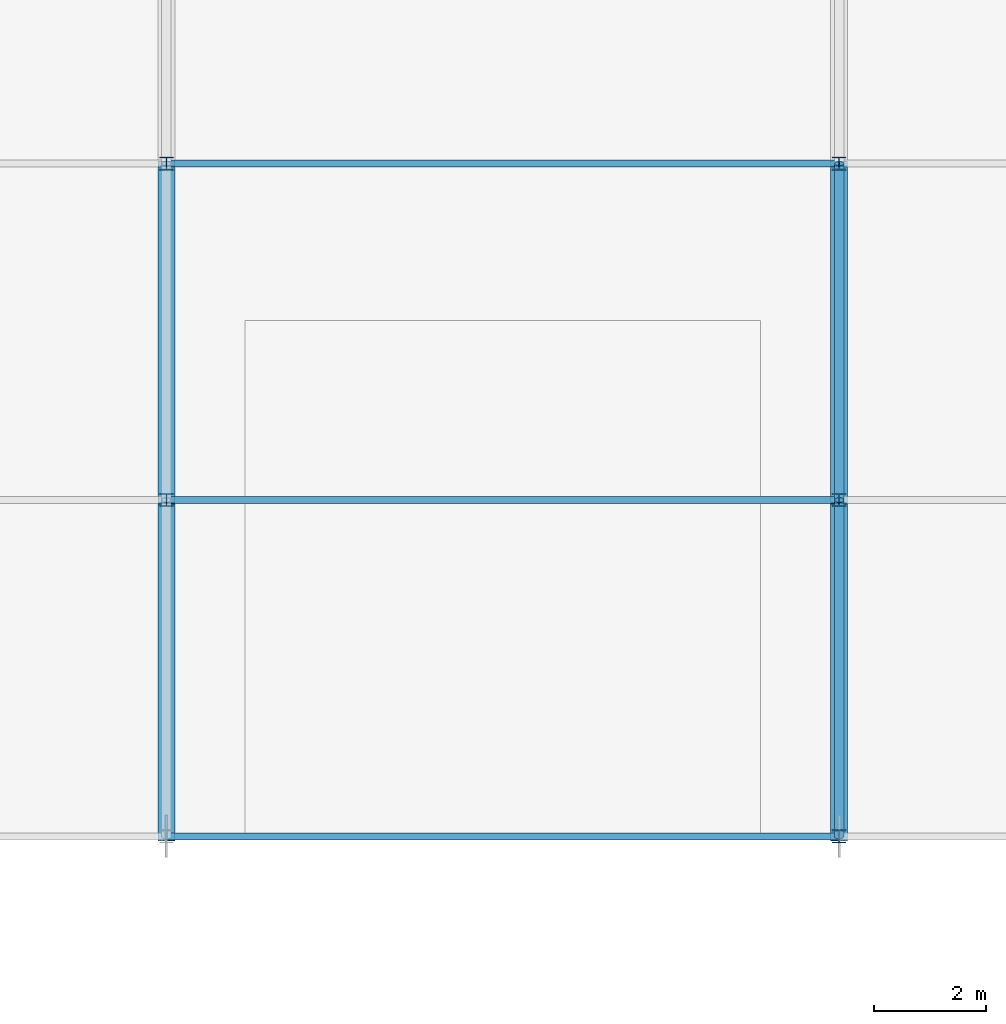
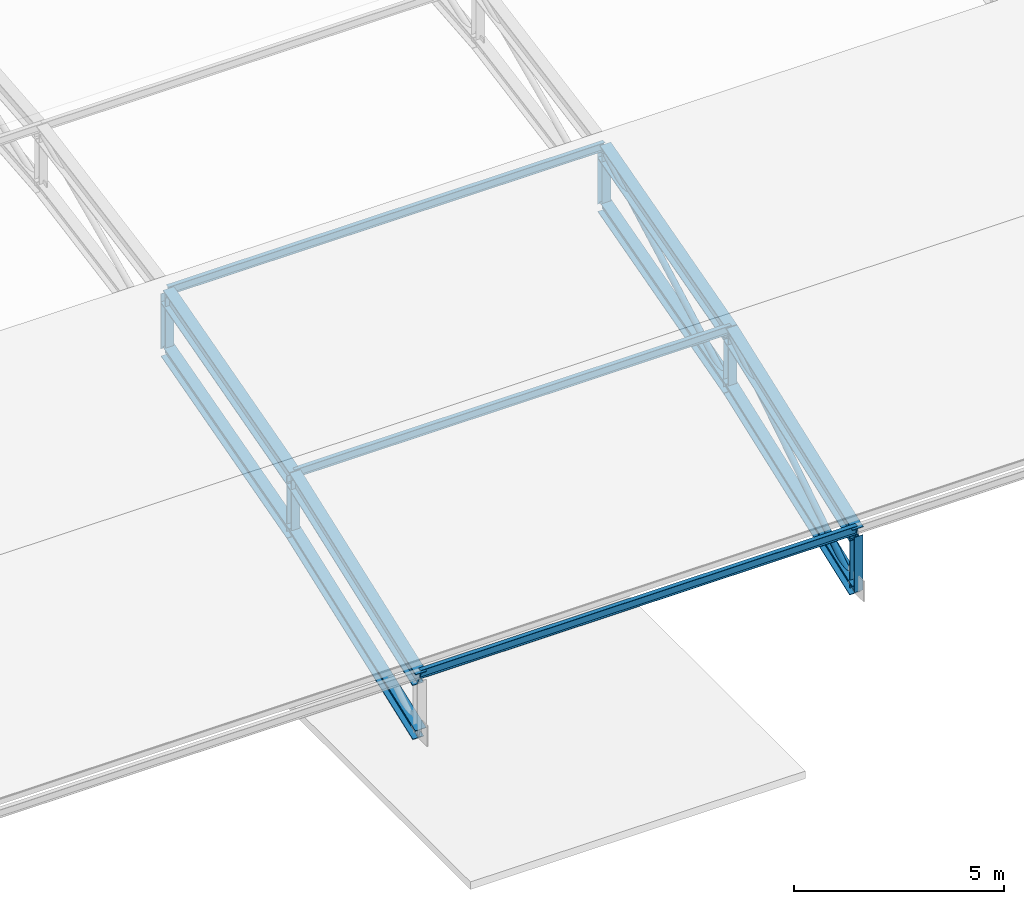
# One storey, part 91 of 204: 18 members.
"""IFC4 building model written with IfcOpenShell, lengths in metres."""

from ifc_helpers import new_model, si_unit, direction, frame, origin, origin_2d, place, context, subcontext, project, spatial, hollow_circle, i_section, extrude, material, material_profile, profile_set, type_object, element, save


model = new_model("IFC4")

# Units and contexts
model_context = context("Model", 3, precision=1e-05, world=origin(), true_north=direction((0.0, 1.0)))
body_context = subcontext(model_context, "Body", "Model", "MODEL_VIEW")
ifc_project = project(units=[si_unit("LENGTHUNIT", "METRE"), si_unit("AREAUNIT", "SQUARE_METRE"), si_unit("VOLUMEUNIT", "CUBIC_METRE"), si_unit("PLANEANGLEUNIT", "RADIAN"), si_unit("MASSUNIT", "GRAM", prefix="KILO")], contexts=[model_context])

# Site, building, storey
site_placement = place(None, origin())
site = spatial("IfcSite", under=ifc_project, at=site_placement, CompositionType="ELEMENT")
building_placement = place(site_placement, origin())
building = spatial("IfcBuilding", under=site, at=building_placement, Name="Zilviju Railside Exhibition Hall", CompositionType="ELEMENT")
storey_placement = place(building_placement, frame((0.0, 0.0, 21.0)))
storey = spatial("IfcBuildingStorey", under=building, at=storey_placement, Name="RF", CompositionType="ELEMENT", Elevation=21.0)

# Members
ifc_material = material(Name="Steel S355J2", Category="steel")
ifc_material_profile_1 = material_profile(ifc_material, hollow_circle(Radius=0.084228515625, WallThickness=0.008056640625, at=origin_2d()), Name="CHS 168.3x8.0")
ifc_profile_set_1 = profile_set([ifc_material_profile_1], Name="Steel S355J2")
member_type_1 = type_object("IfcMemberType", Name="TR-BR-CHS168", PredefinedType="BRACE", material=ifc_profile_set_1)
member_1_placement = place(storey_placement, frame((156.0, 0.0, -7.800048828125), z_axis=(0.0, 0.844023315733, 0.536306481872), x_axis=(-1.0, 0.0, 0.0)))
element("IfcMember", 1, at=member_1_placement, inside=storey, type_object=member_type_1, Name="V1 Parabolic Arch Web Diagonal X=156.0 P1", PredefinedType="BRACE", context=body_context, shape_type="SweptSolid", body=[
    extrude(hollow_circle(Radius=0.084228515625, WallThickness=0.008056640625, at=origin_2d()), origin(), (0.0, 0.0, 1.0), 7.10888671875),
])
member_2_placement = place(storey_placement, frame((156.0, 6.0, -5.587646484375), z_axis=(0.0, 0.87872232578, 0.477333294644), x_axis=(-1.0, 0.0, 0.0)))
element("IfcMember", 2, at=member_2_placement, inside=storey, type_object=member_type_1, Name="V1 Parabolic Arch Web Diagonal X=156.0 P2", PredefinedType="BRACE", context=body_context, shape_type="SweptSolid", body=[
    extrude(hollow_circle(Radius=0.084228515625, WallThickness=0.008056640625, at=origin_2d()), origin(), (0.0, 0.0, 1.0), 6.828125),
])
ifc_material_profile_2 = material_profile(ifc_material, i_section(OverallWidth=0.300048828125, OverallDepth=0.360107421875, WebThickness=0.012451171875, FlangeThickness=0.0224609375, at=origin_2d()), Name="HEB 360")
ifc_profile_set_2 = profile_set([ifc_material_profile_2], Name="Steel S355J2")
member_type_2 = type_object("IfcMemberType", Name="TR-CH-HEB360", PredefinedType="CHORD", material=ifc_profile_set_2)
member_3_placement = place(storey_placement, frame((144.0, 0.0, -7.800048828125), z_axis=(0.0, 0.938247917098, 0.345963648468), x_axis=(-1.0, 0.0, 0.0)))
element("IfcMember", 3, at=member_3_placement, inside=storey, type_object=member_type_2, Name="V1 Parabolic Arch Bottom Chord X=144.0 P1", PredefinedType="CHORD", context=body_context, shape_type="SweptSolid", body=[
    extrude(i_section(OverallWidth=0.300048828125, OverallDepth=0.360107421875, WebThickness=0.012451171875, FlangeThickness=0.0224609375, at=origin_2d()), origin(), (0.0, 0.0, 1.0), 6.39501953125),
])
member_4_placement = place(storey_placement, frame((144.0, 6.0, -5.587646484375), z_axis=(0.0, 0.963827412659, 0.266527144223), x_axis=(-1.0, 0.0, 0.0)))
element("IfcMember", 4, at=member_4_placement, inside=storey, type_object=member_type_2, Name="V1 Parabolic Arch Bottom Chord X=144.0 P2", PredefinedType="CHORD", context=body_context, shape_type="SweptSolid", body=[
    extrude(i_section(OverallWidth=0.300048828125, OverallDepth=0.360107421875, WebThickness=0.012451171875, FlangeThickness=0.0224609375, at=origin_2d()), origin(), (0.0, 0.0, 1.0), 6.22509765625),
])
member_5_placement = place(storey_placement, frame((156.0, 0.0, -7.800048828125), z_axis=(0.0, 0.938247917098, 0.345963648468), x_axis=(-1.0, 0.0, 0.0)))
element("IfcMember", 5, at=member_5_placement, inside=storey, type_object=member_type_2, Name="V1 Parabolic Arch Bottom Chord X=156.0 P1", PredefinedType="CHORD", context=body_context, shape_type="SweptSolid", body=[
    extrude(i_section(OverallWidth=0.300048828125, OverallDepth=0.360107421875, WebThickness=0.012451171875, FlangeThickness=0.0224609375, at=origin_2d()), origin(), (0.0, 0.0, 1.0), 6.39501953125),
])
member_6_placement = place(storey_placement, frame((156.0, 6.0, -5.587646484375), z_axis=(0.0, 0.963827412659, 0.266527144223), x_axis=(-1.0, 0.0, 0.0)))
element("IfcMember", 6, at=member_6_placement, inside=storey, type_object=member_type_2, Name="V1 Parabolic Arch Bottom Chord X=156.0 P2", PredefinedType="CHORD", context=body_context, shape_type="SweptSolid", body=[
    extrude(i_section(OverallWidth=0.300048828125, OverallDepth=0.360107421875, WebThickness=0.012451171875, FlangeThickness=0.0224609375, at=origin_2d()), origin(), (0.0, 0.0, 1.0), 6.22509765625),
])
ifc_material_profile_3 = material_profile(ifc_material, i_section(OverallWidth=0.300048828125, OverallDepth=0.449951171875, WebThickness=0.013916015625, FlangeThickness=0.02587890625, at=origin_2d()), Name="HEB 450")
ifc_profile_set_3 = profile_set([ifc_material_profile_3], Name="Steel S355J2")
member_type_3 = type_object("IfcMemberType", Name="TR-CH-HEB450", PredefinedType="CHORD", material=ifc_profile_set_3)
member_7_placement = place(storey_placement, frame((144.0, 0.0, -6.199951171875), z_axis=(0.0, 0.938247917098, 0.345963648468), x_axis=(-1.0, 0.0, 0.0)))
element("IfcMember", 7, at=member_7_placement, inside=storey, type_object=member_type_3, Name="V1 Parabolic Arch Top Chord X=144.0 P1", PredefinedType="CHORD", context=body_context, shape_type="SweptSolid", body=[
    extrude(i_section(OverallWidth=0.300048828125, OverallDepth=0.449951171875, WebThickness=0.013916015625, FlangeThickness=0.02587890625, at=origin_2d()), origin(), (0.0, 0.0, 1.0), 6.39501953125),
])
member_8_placement = place(storey_placement, frame((144.0, 6.0, -3.987548828125), z_axis=(0.0, 0.963827412659, 0.266527144223), x_axis=(-1.0, 0.0, 0.0)))
element("IfcMember", 8, at=member_8_placement, inside=storey, type_object=member_type_3, Name="V1 Parabolic Arch Top Chord X=144.0 P2", PredefinedType="CHORD", context=body_context, shape_type="SweptSolid", body=[
    extrude(i_section(OverallWidth=0.300048828125, OverallDepth=0.449951171875, WebThickness=0.013916015625, FlangeThickness=0.02587890625, at=origin_2d()), origin(), (0.0, 0.0, 1.0), 6.22509765625),
])
member_9_placement = place(storey_placement, frame((156.0, 0.0, -6.199951171875), z_axis=(0.0, 0.938247917098, 0.345963648468), x_axis=(-1.0, 0.0, 0.0)))
element("IfcMember", 9, at=member_9_placement, inside=storey, type_object=member_type_3, Name="V1 Parabolic Arch Top Chord X=156.0 P1", PredefinedType="CHORD", context=body_context, shape_type="SweptSolid", body=[
    extrude(i_section(OverallWidth=0.300048828125, OverallDepth=0.449951171875, WebThickness=0.013916015625, FlangeThickness=0.02587890625, at=origin_2d()), origin(), (0.0, 0.0, 1.0), 6.39501953125),
])
member_10_placement = place(storey_placement, frame((156.0, 6.0, -3.987548828125), z_axis=(0.0, 0.963827412659, 0.266527144223), x_axis=(-1.0, 0.0, 0.0)))
element("IfcMember", 10, at=member_10_placement, inside=storey, type_object=member_type_3, Name="V1 Parabolic Arch Top Chord X=156.0 P2", PredefinedType="CHORD", context=body_context, shape_type="SweptSolid", body=[
    extrude(i_section(OverallWidth=0.300048828125, OverallDepth=0.449951171875, WebThickness=0.013916015625, FlangeThickness=0.02587890625, at=origin_2d()), origin(), (0.0, 0.0, 1.0), 6.22509765625),
])
ifc_material_profile_4 = material_profile(ifc_material, i_section(OverallWidth=0.239990234375, OverallDepth=0.22998046875, WebThickness=0.007568359375, FlangeThickness=0.011962890625, at=origin_2d()), Name="HEA 240")
ifc_profile_set_4 = profile_set([ifc_material_profile_4], Name="Steel S355J2")
member_type_4 = type_object("IfcMemberType", Name="TR-POST-HEA240", PredefinedType="POST", material=ifc_profile_set_4)
for number, where, z_axis, x_axis, name in (
    (11, (144.0, 6.0, -5.587646484375), (0.0, 0.0, 1.0), (1.0, 0.0, 0.0), "V1 Parabolic Arch Web Post X=144.0 N1"),
    (12, (144.0, 12.0, -3.928466796875), (0.0, 0.0, 1.0), (1.0, 0.0, 0.0), "V1 Parabolic Arch Web Post X=144.0 N2"),
    (13, (156.0, 0.0, -7.800048828125), (0.0, 0.0, 1.0), (1.0, 0.0, 0.0), "V1 Parabolic Arch Web Post X=156.0 N0"),
    (14, (156.0, 6.0, -5.587646484375), (0.0, 0.0, 1.0), (1.0, 0.0, 0.0), "V1 Parabolic Arch Web Post X=156.0 N1"),
    (15, (156.0, 12.0, -3.928466796875), (0.0, 0.0, 1.0), (1.0, 0.0, 0.0), "V1 Parabolic Arch Web Post X=156.0 N2"),
):
    element("IfcMember", number, at=place(storey_placement, frame(where, z_axis=z_axis, x_axis=x_axis)), inside=storey, type_object=member_type_4, Name=name, PredefinedType="POST", context=body_context, shape_type="SweptSolid", body=[
        extrude(i_section(OverallWidth=0.239990234375, OverallDepth=0.22998046875, WebThickness=0.007568359375, FlangeThickness=0.011962890625, at=origin_2d()), origin(), (0.0, 0.0, 1.0), 1.60009765625),
    ])
ifc_material_profile_5 = material_profile(ifc_material, i_section(OverallWidth=0.1201171875, OverallDepth=0.239990234375, WebThickness=0.006103515625, FlangeThickness=0.009765625, at=origin_2d()), Name="IPE 240")
ifc_profile_set_5 = profile_set([ifc_material_profile_5], Name="Steel S355J2")
member_type_5 = type_object("IfcMemberType", Name="TR-PUR-IPE240", PredefinedType="PURLIN", material=ifc_profile_set_5)
for number, where, z_axis, x_axis, name in (
    (16, (144.0, 0.0, -6.05517578125), (1.0, 0.0, 0.0), (0.0, 1.0, 0.0), "V1 Barrel Vault Roof Purlin Y=0.0 (144.0..156.0)"),
    (17, (144.0, 6.0, -3.864990234375), (1.0, 0.0, 0.0), (0.0, 1.0, 0.0), "V1 Barrel Vault Roof Purlin Y=6.0 (144.0..156.0)"),
    (18, (144.0, 12.0, -2.193603515625), (1.0, 0.0, 0.0), (0.0, 1.0, 0.0), "V1 Barrel Vault Roof Purlin Y=12.0 (144.0..156.0)"),
):
    element("IfcMember", number, at=place(storey_placement, frame(where, z_axis=z_axis, x_axis=x_axis)), inside=storey, type_object=member_type_5, Name=name, PredefinedType="PURLIN", context=body_context, shape_type="SweptSolid", body=[
        extrude(i_section(OverallWidth=0.1201171875, OverallDepth=0.239990234375, WebThickness=0.006103515625, FlangeThickness=0.009765625, at=origin_2d()), origin(), (0.0, 0.0, 1.0), 12.0),
    ])

save(model, "model.ifc")
